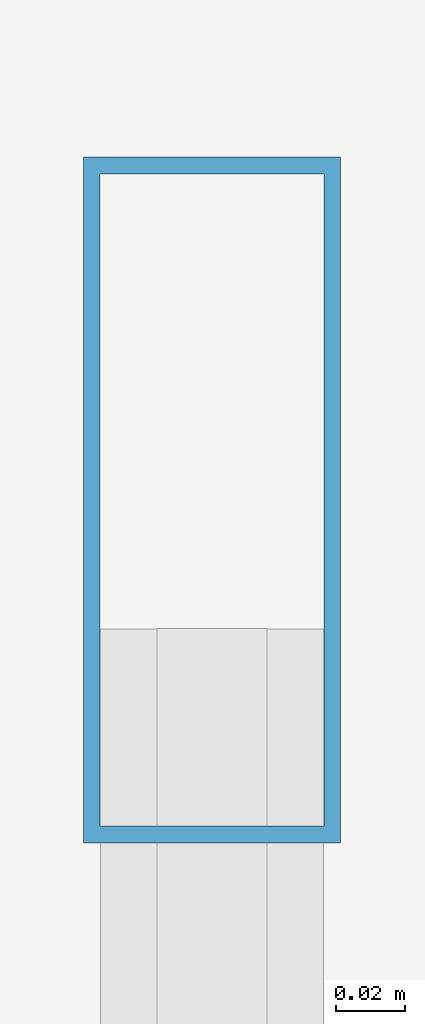
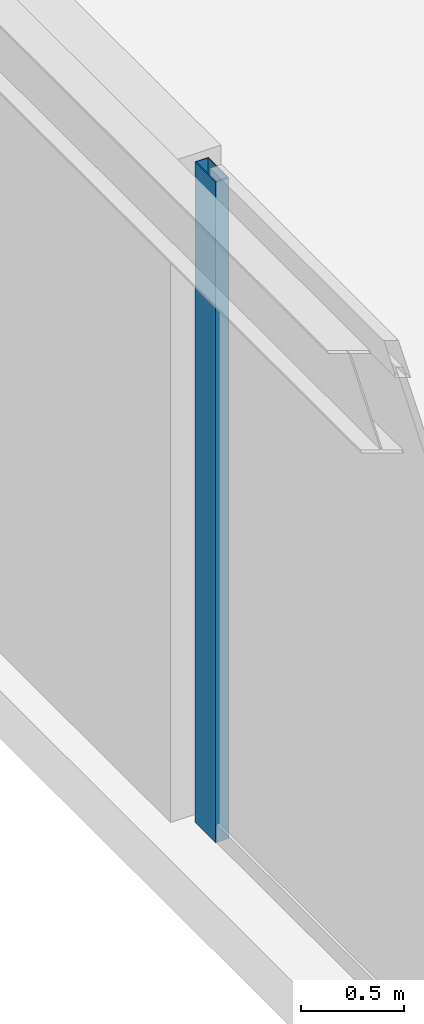
# One storey, part 5 of 46: 1 member, 1 element without a shape of its own.
"""IFC4 building model written with IfcOpenShell, lengths in metres."""

import ifcopenshell
import ifcopenshell.guid

model = None  # the IFC model being written
_history = None  # IfcOwnerHistory: only IFC2X3 demands one
_inside = {}  # id of a spatial element -> (the spatial element, [elements in it])
_under = {}  # id of a project, library or spatial element -> (it, [spatial elements below it])
_declared = {}  # id of a project -> (the project, [libraries it declares])
_typed = {}  # id of a type object -> (the type object, [elements of that type])
_made_of = {}  # id of a material, layer set ... -> (it, [elements and type objects made of it])


def new_model(schema):
    """Start an empty IFC model of exactly this schema.

    Asked for "IFC4X3", IfcOpenShell would pick the latest addendum, in which some entities
    have other attributes; the version numbers below select the first issue.
    IFC2X3 requires an IfcOwnerHistory on every rooted entity: one is made here for all.
    """
    global model, _history
    if schema == "IFC4X3":
        model = ifcopenshell.file(schema_version=(4, 3, 0, 0))
    else:
        model = ifcopenshell.file(schema=schema)
    _inside.clear()
    _under.clear()
    _declared.clear()
    _typed.clear()
    _made_of.clear()
    _history = None
    if model.schema == "IFC2X3":
        org = make("IfcOrganization", Name="unknown")
        user = make(
            "IfcPersonAndOrganization",
            ThePerson=make("IfcPerson", FamilyName="unknown"),
            TheOrganization=org,
        )
        app = make(
            "IfcApplication",
            ApplicationDeveloper=org,
            Version="unknown",
            ApplicationFullName="unknown",
            ApplicationIdentifier="unknown",
        )
        _history = make(
            "IfcOwnerHistory",
            OwningUser=user,
            OwningApplication=app,
            ChangeAction="ADDED",
            CreationDate=0,
        )
    return model


def make(cls, **values):
    """One entity of the class cls with the attributes given. An attribute that is None is left unset."""
    return model.create_entity(
        cls, **{name: value for name, value in values.items() if value is not None}
    )


def rooted(cls, **values):
    """An entity with a GlobalId (a new one), such as an element, a storey or a relation."""
    return make(cls, GlobalId=ifcopenshell.guid.new(), OwnerHistory=_history, **values)


def si_unit(unit_type, name, prefix=None):
    """IfcSIUnit, for example si_unit("LENGTHUNIT", "METRE", prefix="MILLI")."""
    return make("IfcSIUnit", UnitType=unit_type, Prefix=prefix, Name=name)


def assignment(units):
    """IfcUnitAssignment: the units of a project."""
    return None if units is None else make("IfcUnitAssignment", Units=units)


def point(xyz):
    """IfcCartesianPoint."""
    return None if xyz is None else make("IfcCartesianPoint", Coordinates=xyz)


def direction(xyz):
    """IfcDirection."""
    return None if xyz is None else make("IfcDirection", DirectionRatios=xyz)


def frame(location, z_axis=None, x_axis=None):
    """IfcAxis2Placement3D, a coordinate frame: its origin and axes. An axis left out is left unset."""
    return make(
        "IfcAxis2Placement3D",
        Location=point(location),
        Axis=direction(z_axis),
        RefDirection=direction(x_axis),
    )


def frame_2d(location, x_axis=None):
    """IfcAxis2Placement2D, a coordinate frame in the plane: its origin and x axis."""
    return make(
        "IfcAxis2Placement2D", Location=point(location), RefDirection=direction(x_axis)
    )


def origin():
    """The frame at (0, 0, 0) with its axes left unset."""
    return frame((0.0, 0.0, 0.0))


def origin_2d():
    """The frame at (0, 0) in the plane with its x axis left unset."""
    return frame_2d((0.0, 0.0))


def place(relative_to, where):
    """IfcLocalPlacement: puts the frame where relative to a parent placement (None: the world)."""
    return make(
        "IfcLocalPlacement", PlacementRelTo=relative_to, RelativePlacement=where
    )


def context(
    kind, dimensions, precision=None, world=None, true_north=None, identifier=None
):
    """IfcGeometricRepresentationContext, for example the 3D "Model" context."""
    return make(
        "IfcGeometricRepresentationContext",
        ContextIdentifier=identifier,
        ContextType=kind,
        CoordinateSpaceDimension=dimensions,
        Precision=precision,
        WorldCoordinateSystem=world,
        TrueNorth=true_north,
    )


def subcontext(parent, identifier, kind, view, scale=None):
    """IfcGeometricRepresentationSubContext, for example "Body" below "Model"."""
    return make(
        "IfcGeometricRepresentationSubContext",
        ContextIdentifier=identifier,
        ContextType=kind,
        ParentContext=parent,
        TargetScale=scale,
        TargetView=view,
    )


def project(units=None, contexts=None):
    """IfcProject with its units and contexts."""
    return rooted(
        "IfcProject",
        Name="project",
        RepresentationContexts=contexts,
        UnitsInContext=assignment(units),
    )


def spatial(cls, under=None, at=None, **own):
    """A site, building, storey or space (cls), placed at a placement, below another one or the project."""
    s = rooted(cls, ObjectPlacement=at, **own)
    if under is not None:
        _under.setdefault(under.id(), (under, []))[1].append(s)
    return s


def profile(cls, at=None, kind="AREA", **sizes):
    """A parametric profile (cls). Its sizes go by their IFC names, for example OverallWidth=200.0."""
    return make(cls, ProfileType=kind, Position=at, **sizes)


def hollow_rectangle(**sizes):
    """IfcRectangleHollowProfileDef."""
    return profile("IfcRectangleHollowProfileDef", **sizes)


def extrude(swept, where, along, depth):
    """IfcExtrudedAreaSolid: the profile swept, set in the frame where, extruded along a direction by depth."""
    return make(
        "IfcExtrudedAreaSolid",
        SweptArea=swept,
        Position=where,
        ExtrudedDirection=direction(along),
        Depth=depth,
    )


def shape(context_of_items, identifier, shape_type, items):
    """IfcShapeRepresentation: the items that make up one representation, for example the "Body"."""
    return make(
        "IfcShapeRepresentation",
        ContextOfItems=context_of_items,
        RepresentationIdentifier=identifier,
        RepresentationType=shape_type,
        Items=items,
    )


def material(Name=None, Category=None):
    """IfcMaterial."""
    return make("IfcMaterial", Name=Name, Category=Category)


def layer(
    of_material, thickness, ventilated=None, Name=None, Category=None, Priority=None
):
    """IfcMaterialLayer: one layer of a wall or slab, of a material (None: an air gap)."""
    return make(
        "IfcMaterialLayer",
        Material=of_material,
        LayerThickness=thickness,
        IsVentilated=ventilated,
        Name=Name,
        Category=Category,
        Priority=Priority,
    )


def layer_set(layers, Name=None):
    """IfcMaterialLayerSet."""
    return make("IfcMaterialLayerSet", MaterialLayers=layers, LayerSetName=Name)


def material_profile(
    of_material, cross_section, Name=None, Category=None, Priority=None
):
    """IfcMaterialProfile: a cross section and its material."""
    return make(
        "IfcMaterialProfile",
        Name=Name,
        Material=of_material,
        Profile=cross_section,
        Priority=Priority,
        Category=Category,
    )


def profile_set(profiles, Name=None, composite=None):
    """IfcMaterialProfileSet."""
    return make(
        "IfcMaterialProfileSet",
        Name=Name,
        MaterialProfiles=profiles,
        CompositeProfile=composite,
    )


def made_of(thing, what):
    """Note that an element or type object is made of a material, layer set ...; save() writes the relation."""
    if what is not None:
        _made_of.setdefault(what.id(), (what, []))[1].append(thing)
    return thing


def type_object(cls, material=None, **own):
    """A type object (cls), such as IfcWallType, which elements share."""
    return made_of(rooted(cls, **own), material)


def element(
    cls,
    number,
    at=None,
    inside=None,
    cuts=None,
    type_object=None,
    material=None,
    context=None,
    identifier="Body",
    shape_type=None,
    held_by="IfcProductDefinitionShape",
    body=None,
    shapes=None,
    **own,
):
    """One element of the class cls, such as IfcWall. Its Tag is "e" and its number.

    at: its placement. inside: the storey or other place that contains it. cuts: it is an
    opening in that element (IfcRelVoidsElement). A single representation is given by context,
    identifier, shape_type and body (its items); several are given by shapes. held_by: the class
    of the entity that holds the representations. save() writes the other relations.
    """
    e = rooted(cls, Tag="e%d" % number, ObjectPlacement=at, **own)
    if body is not None:
        shapes = [shape(context, identifier, shape_type, body)]
    if shapes is not None:
        e.Representation = make(held_by, Representations=shapes)
    if inside is not None:
        _inside.setdefault(inside.id(), (inside, []))[1].append(e)
    if cuts is not None:
        rooted(
            "IfcRelVoidsElement", RelatingBuildingElement=cuts, RelatedOpeningElement=e
        )
    if type_object is not None:
        _typed.setdefault(type_object.id(), (type_object, []))[1].append(e)
    return made_of(e, material)


def aggregate(whole, parts):
    """IfcRelAggregates: a whole, such as a stair, and the parts it consists of."""
    return rooted("IfcRelAggregates", RelatingObject=whole, RelatedObjects=parts)


def save(model, path):
    """Write the relations noted so far, then the file.

    IfcRelAggregates (storeys below a building ...), IfcRelContainedInSpatialStructure (elements
    in a storey), IfcRelDefinesByType, IfcRelAssociatesMaterial and IfcRelDeclares: one each for
    every whole, place, type object, material and project.
    """
    for whole, parts in _under.values():
        aggregate(whole, parts)
    for where, things in _inside.values():
        rooted(
            "IfcRelContainedInSpatialStructure",
            RelatedElements=things,
            RelatingStructure=where,
        )
    for kind, things in _typed.values():
        rooted("IfcRelDefinesByType", RelatedObjects=things, RelatingType=kind)
    for what, things in _made_of.values():
        rooted("IfcRelAssociatesMaterial", RelatedObjects=things, RelatingMaterial=what)
    for by, libraries in _declared.values():
        rooted("IfcRelDeclares", RelatingContext=by, RelatedDefinitions=libraries)
    model.write(path)


model = new_model("IFC4")

# Units and contexts
model_context = context("Model", 3, precision=1e-05, world=origin(), true_north=direction((0.0, 1.0)))
body_context = subcontext(model_context, "Body", "Model", "MODEL_VIEW")
ifc_project = project(units=[si_unit("LENGTHUNIT", "METRE"), si_unit("AREAUNIT", "SQUARE_METRE"), si_unit("VOLUMEUNIT", "CUBIC_METRE"), si_unit("PLANEANGLEUNIT", "RADIAN"), si_unit("MASSUNIT", "GRAM", prefix="KILO")], contexts=[model_context])

# Site, building, storey
site_placement = place(None, origin())
site = spatial("IfcSite", under=ifc_project, at=site_placement, CompositionType="ELEMENT")
building_placement = place(site_placement, origin())
building = spatial("IfcBuilding", under=site, at=building_placement, Name="Orvanel Arch Residences", CompositionType="ELEMENT")
storey_placement = place(building_placement, frame((0.0, 0.0, 14.10009765625)))
storey = spatial("IfcBuildingStorey", under=building, at=storey_placement, Name="L03", CompositionType="ELEMENT", Elevation=14.10009765625)

# Curtain wall, member
ifc_material = material(Name="Bronze-anodised aluminium AA6063-T6", Category="aluminium")
ifc_layer = layer(ifc_material, 0.199951171875)
ifc_layer_set = layer_set([ifc_layer], Name="Bronze-anodised aluminium AA6063-T6")
curtain_wall_type = type_object("IfcCurtainWallType", Name="CW1-POD-SYS", PredefinedType="NOTDEFINED", material=ifc_layer_set)
curtain_wall_placement = place(storey_placement, origin())
curtain_wall = element("IfcCurtainWall", 1, at=curtain_wall_placement, inside=storey, type_object=curtain_wall_type, Name="L03 CW1-POD-SYS Unitised Curtain Wall", PredefinedType="NOTDEFINED")
ifc_material_profile = material_profile(ifc_material, hollow_rectangle(XDim=0.074951171875, YDim=0.199951171875, WallThickness=0.0048828125, at=origin_2d()), Name="ALU200x75x5")
ifc_profile_set = profile_set([ifc_material_profile], Name="Bronze-anodised aluminium AA6063-T6")
member_type = type_object("IfcMemberType", Name="MUL-200x75", PredefinedType="MULLION", material=ifc_profile_set)
member_placement = place(storey_placement, frame((1.550048828125, 10.322509765625, 0.0), z_axis=(0.0, 0.0, 1.0), x_axis=(1.0, 0.0, 0.0)))
member = element("IfcMember", 2, at=member_placement, type_object=member_type, Name="CW-S1 mullion 1", PredefinedType="MULLION", context=body_context, shape_type="SweptSolid", body=[
    extrude(hollow_rectangle(XDim=0.074951171875, YDim=0.199951171875, WallThickness=0.0048828125, at=origin_2d()), origin(), (0.0, 0.0, 1.0), 3.89990234375),
])
aggregate(curtain_wall, [member])

save(model, "model.ifc")
